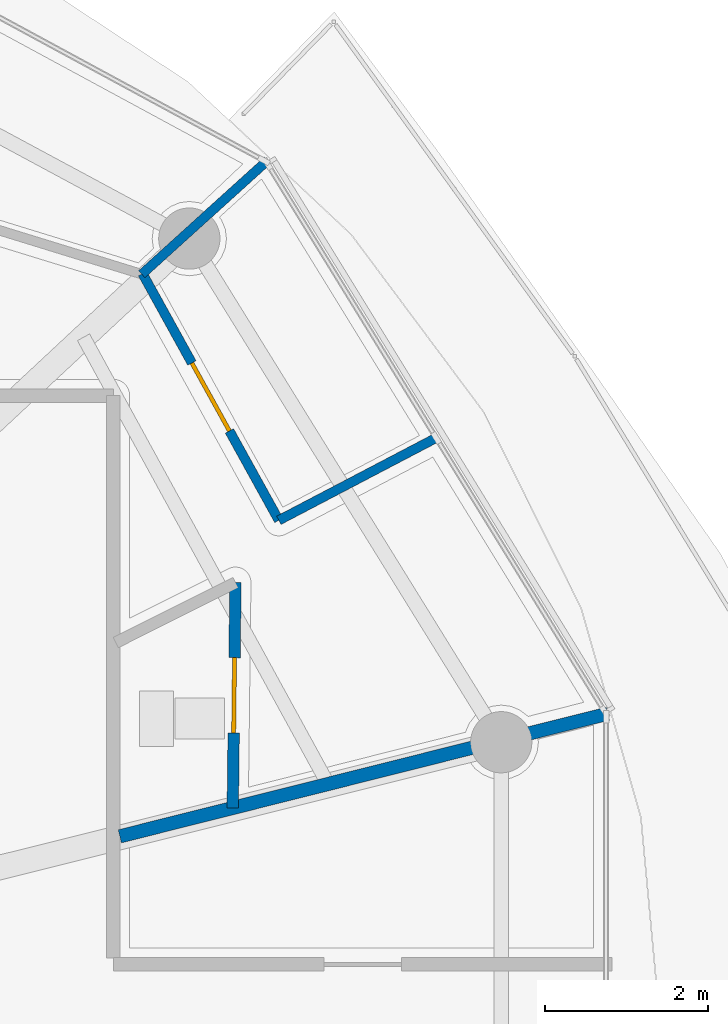
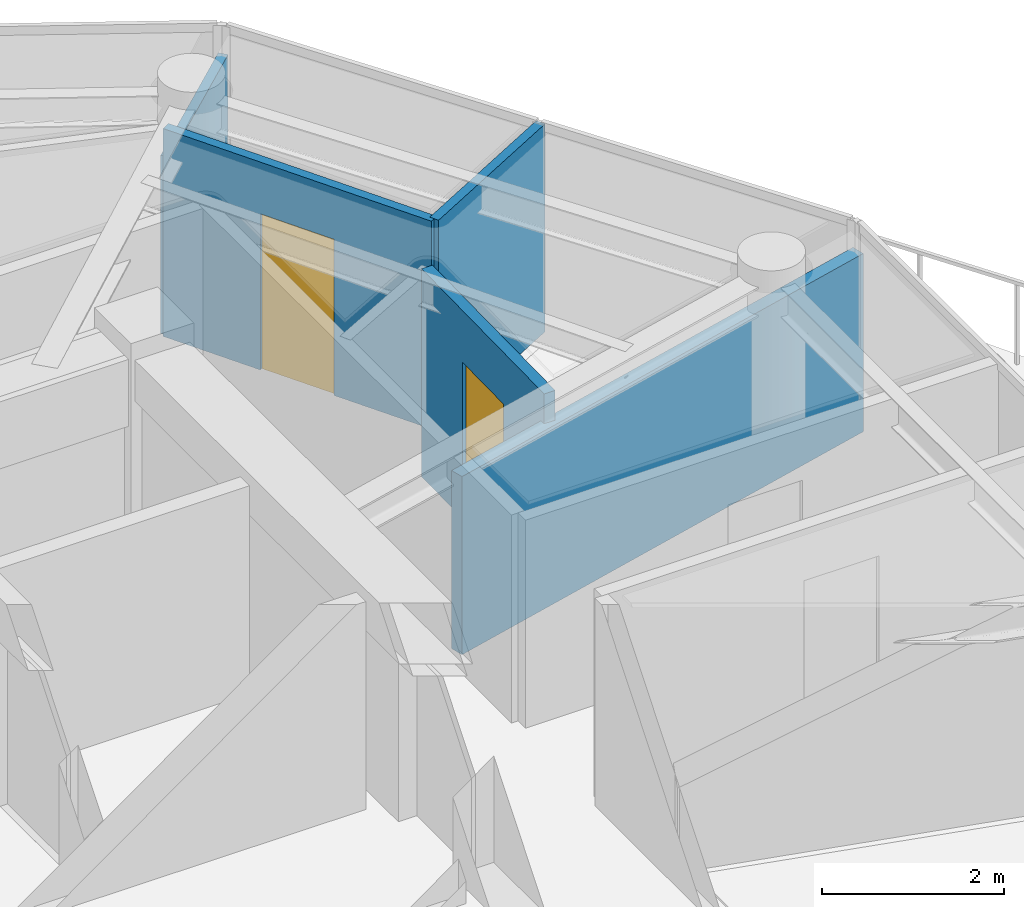
# One storey, part 19 of 30: 5 walls, 2 doors, 2 openings.
"""IFC4 building model written with IfcOpenShell, lengths in metres."""

from ifc_helpers import new_model, si_unit, direction, frame, frame_2d, origin, place, context, subcontext, project, spatial, rectangle, extrude, source, transform, mapped, material, layer, layer_set, type_object, type_shapes, element, fill, save


model = new_model("IFC4")

# Units and contexts
model_context = context("Model", 3, precision=1e-05, world=origin(), true_north=direction((0.0, 1.0)))
body_context = subcontext(model_context, "Body", "Model", "MODEL_VIEW")
ifc_project = project(units=[si_unit("LENGTHUNIT", "METRE"), si_unit("AREAUNIT", "SQUARE_METRE"), si_unit("VOLUMEUNIT", "CUBIC_METRE"), si_unit("PLANEANGLEUNIT", "RADIAN"), si_unit("MASSUNIT", "GRAM", prefix="KILO")], contexts=[model_context])

# Site, building, storey
site_placement = place(None, origin())
site = spatial("IfcSite", under=ifc_project, at=site_placement, CompositionType="ELEMENT")
building_placement = place(site_placement, origin())
building = spatial("IfcBuilding", under=site, at=building_placement, Name="Norrkilde Senior Care Towers", CompositionType="ELEMENT")
storey_placement = place(building_placement, frame((0.0, 0.0, 232.199951171875)))
storey = spatial("IfcBuildingStorey", under=building, at=storey_placement, Name="L72", CompositionType="ELEMENT", Elevation=232.199951171875)

# Walls
ifc_material_1 = material(Name="Gypsum Acoustic Board")
ifc_layer_1 = layer(ifc_material_1, 0.1650390625)
ifc_layer_set_1 = layer_set([ifc_layer_1], Name="Gypsum Acoustic Board")
wall_type_1 = type_object("IfcWallType", Name="Corridor Rated Partition 165", PredefinedType="PARTITIONING", material=ifc_layer_set_1)
shared_shape_1 = source(origin(), body_context, "Body", "SweptSolid", [
    extrude(rectangle(XDim=6.1572265625, YDim=0.1650390625, at=frame_2d((3.07861328125, 0.0))), origin(), (0.0, 0.0, 1.0), 2.39501953125),
])
type_shapes(wall_type_1, [shared_shape_1])
wall_1_placement = place(storey_placement, frame((37.580078125, 2.407470703125, 0.0), z_axis=(0.0, 0.0, 1.0), x_axis=(0.969840867184, 0.243738984038, 0.0)))
element("IfcWall", 1, at=wall_1_placement, inside=storey, type_object=wall_type_1, Name="WL-INT-L72-E-DEM-00-0", PredefinedType="PARTITIONING", context=body_context, shape_type="MappedRepresentation", body=[
    mapped(shared_shape_1, transform((0.0, 0.0, 0.0), x_axis=(1.0, 0.0, 0.0), y_axis=(0.0, 1.0, 0.0), z_axis=(0.0, 0.0, 1.0), scale=1.0)),
])
ifc_layer_2 = layer(ifc_material_1, 0.114990234375)
ifc_layer_set_2 = layer_set([ifc_layer_2], Name="Gypsum Acoustic Board")
wall_type_2 = type_object("IfcWallType", Name="Internal Room Partition 115", PredefinedType="PARTITIONING", material=ifc_layer_set_2)
shared_shape_2 = source(origin(), body_context, "Body", "SweptSolid", [
    extrude(rectangle(XDim=2.071533203125, YDim=0.114990234375, at=frame_2d((1.03564453125, 0.0))), origin(), (0.0, 0.0, 1.0), 2.39501953125),
])
wall_2_placement = place(storey_placement, frame((37.8486328125, 9.287109375, 0.0), z_axis=(0.0, 0.0, 1.0), x_axis=(0.741410125356, 0.671052178314, 0.0)))
element("IfcWall", 2, at=wall_2_placement, inside=storey, type_object=wall_type_2, Name="WL-INT-L72-E-UBR-00-1", PredefinedType="PARTITIONING", context=body_context, shape_type="MappedRepresentation", body=[
    mapped(shared_shape_2, transform((0.0, 0.0, 0.0), x_axis=(1.0, 0.0, 0.0), y_axis=(0.0, 1.0, 0.0), z_axis=(0.0, 0.0, 1.0), scale=1.0)),
])

# Wall, opening, door
ifc_layer_3 = layer(ifc_material_1, 0.139892578125)
ifc_layer_set_3 = layer_set([ifc_layer_3], Name="Gypsum Acoustic Board")
wall_type_3 = type_object("IfcWallType", Name="En-suite Wet Room Wall 140", PredefinedType="PARTITIONING", material=ifc_layer_set_3)
shared_shape_3 = source(origin(), body_context, "Body", "SweptSolid", [
    extrude(rectangle(XDim=2.7587890625, YDim=0.139892578125, at=frame_2d((1.37939453125, 0.0))), origin(), (0.0, 0.0, 1.0), 2.795166015625),
])
type_shapes(wall_type_3, [shared_shape_3])
wall_3_placement = place(storey_placement, frame((38.99462890625, 5.5126953125, 0.0), z_axis=(0.0, 0.0, 1.0), x_axis=(-0.01194710728, -0.999928630767, 0.0)))
wall_3 = element("IfcWall", 3, at=wall_3_placement, inside=storey, type_object=wall_type_3, Name="WL-INT-L72-E-UBTF-00", PredefinedType="PARTITIONING", context=body_context, shape_type="MappedRepresentation", body=[
    mapped(shared_shape_3, transform((0.0, 0.0, 0.0), x_axis=(1.0, 0.0, 0.0), y_axis=(0.0, 1.0, 0.0), z_axis=(0.0, 0.0, 1.0), scale=1.0)),
])
opening_1_placement = place(wall_3_placement, frame((0.91943359375, 0.0, 0.0)))
opening_1 = element("IfcOpeningElement", 4, at=opening_1_placement, cuts=wall_3, Name="Opening D-08", PredefinedType="OPENING", context=body_context, shape_type="SweptSolid", body=[
    extrude(rectangle(XDim=0.919921875, YDim=2.10009765625, at=frame_2d((0.4599609375, 1.050048828125))), frame((0.0, 0.079833984375, 0.0), z_axis=(0.0, -1.0, 0.0), x_axis=(1.0, 0.0, 0.0)), (0.0, 0.0, 1.0), 0.159912109375),
])
ifc_material_2 = material(Name="Nordic Ash Timber", Category="wood")
door_type_1 = type_object("IfcDoorType", Name="Accessible Wet Room Door 920x2100", OperationType="NOTDEFINED", PredefinedType="DOOR", material=ifc_material_2)
shared_shape_4 = source(origin(), body_context, "Body", "SweptSolid", [
    extrude(rectangle(XDim=0.919921875, YDim=2.10009765625, at=frame_2d((0.4599609375, 1.050048828125))), frame((0.0, 0.02490234375, 0.0), z_axis=(0.0, -1.0, 0.0), x_axis=(1.0, 0.0, 0.0)), (0.0, 0.0, 1.0), 0.050048828125),
])
type_shapes(door_type_1, [shared_shape_4])
door_1_placement = place(opening_1_placement, origin())
door_1 = element("IfcDoor", 5, at=door_1_placement, inside=storey, type_object=door_type_1, Name="Apartment 72A Bathroom Door", OperationType="SINGLE_SWING_RIGHT", OverallHeight=2.10009765625, OverallWidth=0.919921875, PredefinedType="DOOR", context=body_context, shape_type="MappedRepresentation", body=[
    mapped(shared_shape_4, transform((0.0, 0.0, 0.0), x_axis=(1.0, 0.0, 0.0), y_axis=(0.0, 1.0, 0.0), z_axis=(0.0, 0.0, 1.0), scale=1.0)),
])
fill(opening_1, door_1)

# Wall
shared_shape_5 = source(origin(), body_context, "Body", "SweptSolid", [
    extrude(rectangle(XDim=2.193115234375, YDim=0.114990234375, at=frame_2d((1.0966796875, 0.0))), origin(), (0.0, 0.0, 1.0), 2.795166015625),
])
wall_4_placement = place(storey_placement, frame((39.525390625, 6.27490234375, 0.0), z_axis=(0.0, 0.0, 1.0), x_axis=(0.885783595046, 0.464098505435, 0.0)))
element("IfcWall", 6, at=wall_4_placement, inside=storey, type_object=wall_type_2, Name="WL-INT-L72-E-UKTS-00", PredefinedType="PARTITIONING", context=body_context, shape_type="MappedRepresentation", body=[
    mapped(shared_shape_5, transform((0.0, 0.0, 0.0), x_axis=(1.0, 0.0, 0.0), y_axis=(0.0, 1.0, 0.0), z_axis=(0.0, 0.0, 1.0), scale=1.0)),
])

# Wall, opening, door
shared_shape_6 = source(origin(), body_context, "Body", "SweptSolid", [
    extrude(rectangle(XDim=3.4501953125, YDim=0.114990234375, at=frame_2d((1.72509765625, 0.0))), origin(), (0.0, 0.0, 1.0), 2.795166015625),
])
type_shapes(wall_type_2, [shared_shape_2, shared_shape_5, shared_shape_6])
wall_5_placement = place(storey_placement, frame((39.525390625, 6.27490234375, 0.0), z_axis=(0.0, 0.0, 1.0), x_axis=(-0.483659007882, 0.875256513312, 0.0)))
wall_5 = element("IfcWall", 7, at=wall_5_placement, inside=storey, type_object=wall_type_2, Name="WL-INT-L72-E-UKTF-00", PredefinedType="PARTITIONING", context=body_context, shape_type="MappedRepresentation", body=[
    mapped(shared_shape_6, transform((0.0, 0.0, 0.0), x_axis=(1.0, 0.0, 0.0), y_axis=(0.0, 1.0, 0.0), z_axis=(0.0, 0.0, 1.0), scale=1.0)),
])
opening_2_placement = place(wall_5_placement, frame((1.25, 0.0, 0.0)))
opening_2 = element("IfcOpeningElement", 8, at=opening_2_placement, cuts=wall_5, Name="Opening D-07", PredefinedType="OPENING", context=body_context, shape_type="SweptSolid", body=[
    extrude(rectangle(XDim=0.949951171875, YDim=2.10009765625, at=frame_2d((0.47509765625, 1.050048828125))), frame((0.0, 0.0673828125, 0.0), z_axis=(0.0, -1.0, 0.0), x_axis=(1.0, 0.0, 0.0)), (0.0, 0.0, 1.0), 0.135009765625),
])
door_type_2 = type_object("IfcDoorType", Name="Internal Suite Bedroom Door 950x2100", OperationType="NOTDEFINED", PredefinedType="DOOR", material=ifc_material_2)
shared_shape_7 = source(origin(), body_context, "Body", "SweptSolid", [
    extrude(rectangle(XDim=0.949951171875, YDim=2.10009765625, at=frame_2d((0.47509765625, 1.050048828125))), frame((0.0, 0.02490234375, 0.0), z_axis=(0.0, -1.0, 0.0), x_axis=(1.0, 0.0, 0.0)), (0.0, 0.0, 1.0), 0.050048828125),
])
type_shapes(door_type_2, [shared_shape_7])
door_2_placement = place(opening_2_placement, frame((0.949951171875, 0.0, 0.0), z_axis=(0.0, 0.0, 1.0), x_axis=(-1.0, 0.0, 0.0)))
door_2 = element("IfcDoor", 9, at=door_2_placement, inside=storey, type_object=door_type_2, Name="Apartment 72A Kitchen Door", OperationType="SINGLE_SWING_LEFT", OverallHeight=2.10009765625, OverallWidth=0.949951171875, PredefinedType="DOOR", context=body_context, shape_type="MappedRepresentation", body=[
    mapped(shared_shape_7, transform((0.0, 0.0, 0.0), x_axis=(1.0, 0.0, 0.0), y_axis=(0.0, 1.0, 0.0), z_axis=(0.0, 0.0, 1.0), scale=1.0)),
])
fill(opening_2, door_2)

save(model, "model.ifc")
